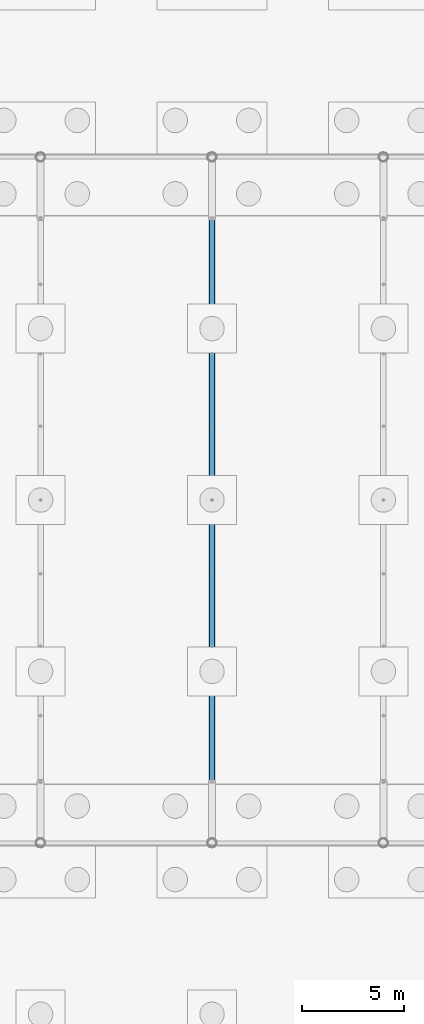
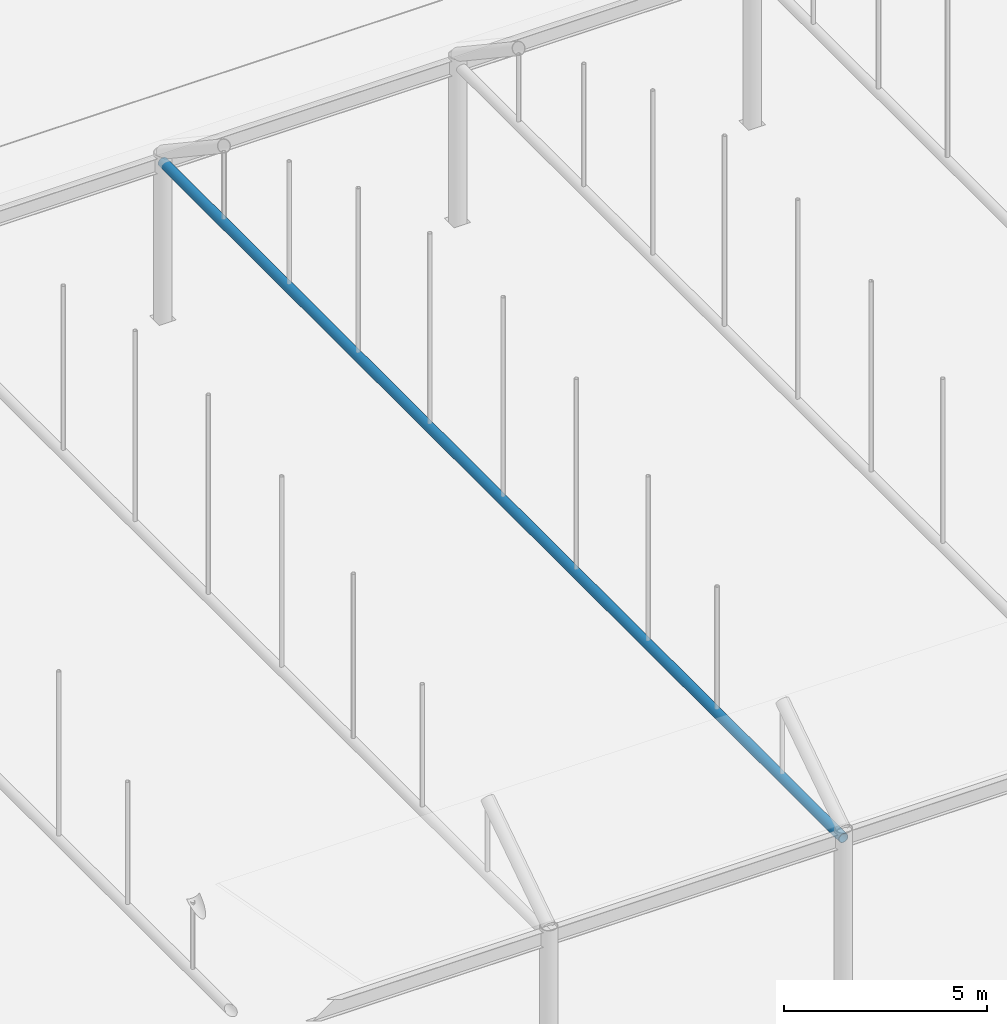
# One storey, part 66 of 212: 1 beam.
"""IFC4 building model written with IfcOpenShell, lengths in metres."""

from ifc_helpers import new_model, si_unit, direction, frame, origin, origin_2d, place, context, subcontext, project, spatial, hollow_circle, extrude, material, material_profile, profile_set, type_object, element, save


model = new_model("IFC4")

# Units and contexts
model_context = context("Model", 3, precision=1e-05, world=origin(), true_north=direction((0.0, 1.0)))
body_context = subcontext(model_context, "Body", "Model", "MODEL_VIEW")
ifc_project = project(units=[si_unit("LENGTHUNIT", "METRE"), si_unit("AREAUNIT", "SQUARE_METRE"), si_unit("VOLUMEUNIT", "CUBIC_METRE"), si_unit("PLANEANGLEUNIT", "RADIAN"), si_unit("MASSUNIT", "GRAM", prefix="KILO")], contexts=[model_context])

# Site, building, storey
site_placement = place(None, origin())
site = spatial("IfcSite", under=ifc_project, at=site_placement, CompositionType="ELEMENT")
building_placement = place(site_placement, origin())
building = spatial("IfcBuilding", under=site, at=building_placement, Name="Catenary Quay Ferry Terminal", CompositionType="ELEMENT")
storey_placement = place(building_placement, origin())
storey = spatial("IfcBuildingStorey", under=building, at=storey_placement, Name="L00", CompositionType="ELEMENT", Elevation=0.0)

# Beam
ifc_material = material(Name="Steel S355", Category="steel")
ifc_material_profile = material_profile(ifc_material, hollow_circle(Radius=0.136474609375, WallThickness=0.012451171875, at=origin_2d()), Name="CHS 273x12.5")
ifc_profile_set = profile_set([ifc_material_profile], Name="Steel S355")
beam_type = type_object("IfcBeamType", Name="TB1 CHS 273x12.5", PredefinedType="BEAM", material=ifc_profile_set)
beam_placement = place(storey_placement, frame((67.199951171875, 16.800048828125, 4.699951171875), z_axis=(0.0, 1.0, 0.0), x_axis=(-1.0, 0.0, 0.0)))
element("IfcBeam", 1, at=beam_placement, inside=storey, type_object=beam_type, Name="tie beam CA-07", PredefinedType="BEAM", context=body_context, shape_type="SweptSolid", body=[
    extrude(hollow_circle(Radius=0.136474609375, WallThickness=0.012451171875, at=origin_2d()), origin(), (0.0, 0.0, 1.0), 33.599853515625),
])

save(model, "model.ifc")
